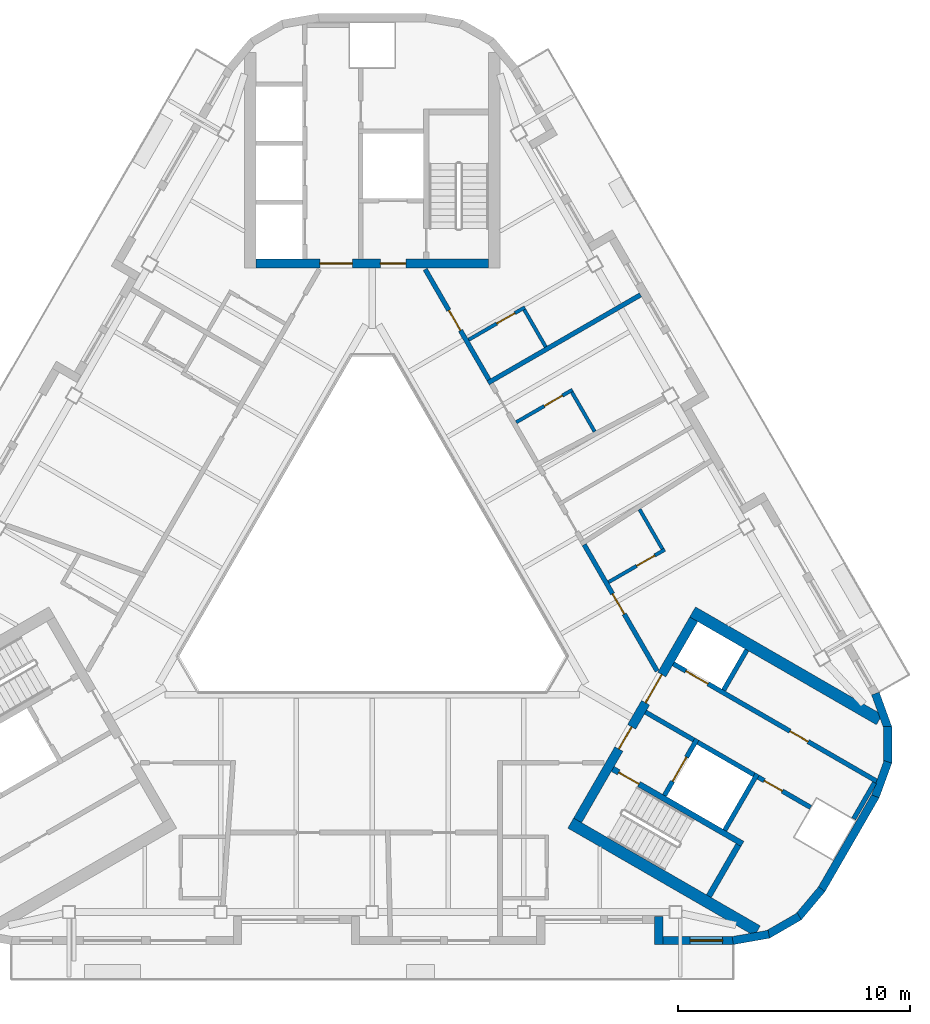
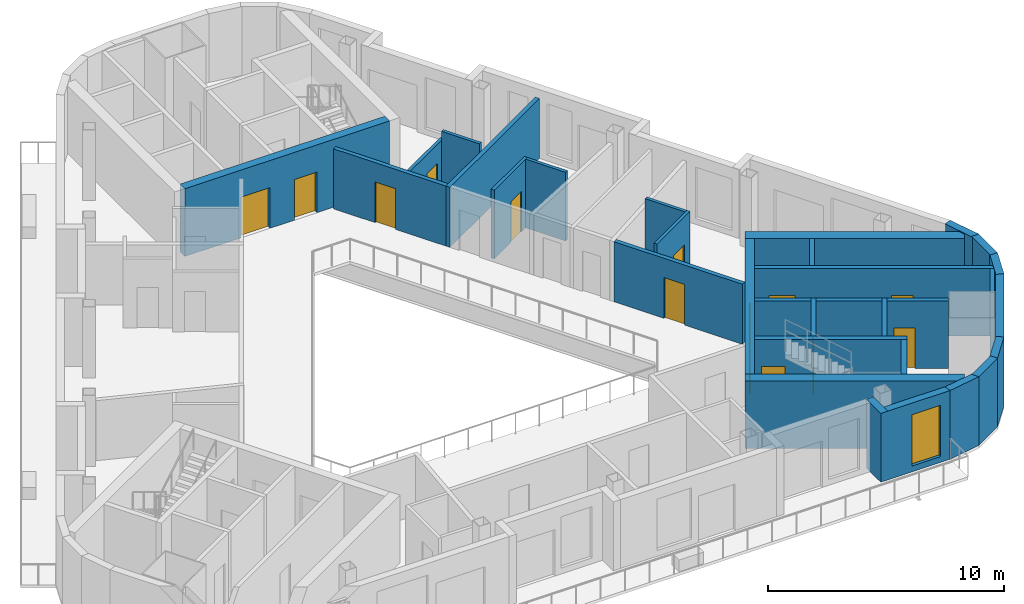
# One storey, part 5 of 11: 32 walls, 14 doors, 1 window, 15 openings.
"""IFC4 building model written with IfcOpenShell, lengths in metres."""

import ifcopenshell
import ifcopenshell.guid

model = None  # the IFC model being written
_history = None  # IfcOwnerHistory: only IFC2X3 demands one
_inside = {}  # id of a spatial element -> (the spatial element, [elements in it])
_under = {}  # id of a project, library or spatial element -> (it, [spatial elements below it])
_declared = {}  # id of a project -> (the project, [libraries it declares])
_typed = {}  # id of a type object -> (the type object, [elements of that type])
_made_of = {}  # id of a material, layer set ... -> (it, [elements and type objects made of it])


def new_model(schema):
    """Start an empty IFC model of exactly this schema.

    Asked for "IFC4X3", IfcOpenShell would pick the latest addendum, in which some entities
    have other attributes; the version numbers below select the first issue.
    IFC2X3 requires an IfcOwnerHistory on every rooted entity: one is made here for all.
    """
    global model, _history
    if schema == "IFC4X3":
        model = ifcopenshell.file(schema_version=(4, 3, 0, 0))
    else:
        model = ifcopenshell.file(schema=schema)
    _inside.clear()
    _under.clear()
    _declared.clear()
    _typed.clear()
    _made_of.clear()
    _history = None
    if model.schema == "IFC2X3":
        org = make("IfcOrganization", Name="unknown")
        user = make(
            "IfcPersonAndOrganization",
            ThePerson=make("IfcPerson", FamilyName="unknown"),
            TheOrganization=org,
        )
        app = make(
            "IfcApplication",
            ApplicationDeveloper=org,
            Version="unknown",
            ApplicationFullName="unknown",
            ApplicationIdentifier="unknown",
        )
        _history = make(
            "IfcOwnerHistory",
            OwningUser=user,
            OwningApplication=app,
            ChangeAction="ADDED",
            CreationDate=0,
        )
    return model


def make(cls, **values):
    """One entity of the class cls with the attributes given. An attribute that is None is left unset."""
    return model.create_entity(
        cls, **{name: value for name, value in values.items() if value is not None}
    )


def rooted(cls, **values):
    """An entity with a GlobalId (a new one), such as an element, a storey or a relation."""
    return make(cls, GlobalId=ifcopenshell.guid.new(), OwnerHistory=_history, **values)


def si_unit(unit_type, name, prefix=None):
    """IfcSIUnit, for example si_unit("LENGTHUNIT", "METRE", prefix="MILLI")."""
    return make("IfcSIUnit", UnitType=unit_type, Prefix=prefix, Name=name)


def assignment(units):
    """IfcUnitAssignment: the units of a project."""
    return None if units is None else make("IfcUnitAssignment", Units=units)


def point(xyz):
    """IfcCartesianPoint."""
    return None if xyz is None else make("IfcCartesianPoint", Coordinates=xyz)


def direction(xyz):
    """IfcDirection."""
    return None if xyz is None else make("IfcDirection", DirectionRatios=xyz)


def frame(location, z_axis=None, x_axis=None):
    """IfcAxis2Placement3D, a coordinate frame: its origin and axes. An axis left out is left unset."""
    return make(
        "IfcAxis2Placement3D",
        Location=point(location),
        Axis=direction(z_axis),
        RefDirection=direction(x_axis),
    )


def frame_2d(location, x_axis=None):
    """IfcAxis2Placement2D, a coordinate frame in the plane: its origin and x axis."""
    return make(
        "IfcAxis2Placement2D", Location=point(location), RefDirection=direction(x_axis)
    )


def origin():
    """The frame at (0, 0, 0) with its axes left unset."""
    return frame((0.0, 0.0, 0.0))


def place(relative_to, where):
    """IfcLocalPlacement: puts the frame where relative to a parent placement (None: the world)."""
    return make(
        "IfcLocalPlacement", PlacementRelTo=relative_to, RelativePlacement=where
    )


def context(
    kind, dimensions, precision=None, world=None, true_north=None, identifier=None
):
    """IfcGeometricRepresentationContext, for example the 3D "Model" context."""
    return make(
        "IfcGeometricRepresentationContext",
        ContextIdentifier=identifier,
        ContextType=kind,
        CoordinateSpaceDimension=dimensions,
        Precision=precision,
        WorldCoordinateSystem=world,
        TrueNorth=true_north,
    )


def subcontext(parent, identifier, kind, view, scale=None):
    """IfcGeometricRepresentationSubContext, for example "Body" below "Model"."""
    return make(
        "IfcGeometricRepresentationSubContext",
        ContextIdentifier=identifier,
        ContextType=kind,
        ParentContext=parent,
        TargetScale=scale,
        TargetView=view,
    )


def project(units=None, contexts=None):
    """IfcProject with its units and contexts."""
    return rooted(
        "IfcProject",
        Name="project",
        RepresentationContexts=contexts,
        UnitsInContext=assignment(units),
    )


def spatial(cls, under=None, at=None, **own):
    """A site, building, storey or space (cls), placed at a placement, below another one or the project."""
    s = rooted(cls, ObjectPlacement=at, **own)
    if under is not None:
        _under.setdefault(under.id(), (under, []))[1].append(s)
    return s


def profile(cls, at=None, kind="AREA", **sizes):
    """A parametric profile (cls). Its sizes go by their IFC names, for example OverallWidth=200.0."""
    return make(cls, ProfileType=kind, Position=at, **sizes)


def rectangle(**sizes):
    """IfcRectangleProfileDef."""
    return profile("IfcRectangleProfileDef", **sizes)


def extrude(swept, where, along, depth):
    """IfcExtrudedAreaSolid: the profile swept, set in the frame where, extruded along a direction by depth."""
    return make(
        "IfcExtrudedAreaSolid",
        SweptArea=swept,
        Position=where,
        ExtrudedDirection=direction(along),
        Depth=depth,
    )


def shape(context_of_items, identifier, shape_type, items):
    """IfcShapeRepresentation: the items that make up one representation, for example the "Body"."""
    return make(
        "IfcShapeRepresentation",
        ContextOfItems=context_of_items,
        RepresentationIdentifier=identifier,
        RepresentationType=shape_type,
        Items=items,
    )


def material(Name=None, Category=None):
    """IfcMaterial."""
    return make("IfcMaterial", Name=Name, Category=Category)


def layer(
    of_material, thickness, ventilated=None, Name=None, Category=None, Priority=None
):
    """IfcMaterialLayer: one layer of a wall or slab, of a material (None: an air gap)."""
    return make(
        "IfcMaterialLayer",
        Material=of_material,
        LayerThickness=thickness,
        IsVentilated=ventilated,
        Name=Name,
        Category=Category,
        Priority=Priority,
    )


def layer_set(layers, Name=None):
    """IfcMaterialLayerSet."""
    return make("IfcMaterialLayerSet", MaterialLayers=layers, LayerSetName=Name)


def made_of(thing, what):
    """Note that an element or type object is made of a material, layer set ...; save() writes the relation."""
    if what is not None:
        _made_of.setdefault(what.id(), (what, []))[1].append(thing)
    return thing


def type_object(cls, material=None, **own):
    """A type object (cls), such as IfcWallType, which elements share."""
    return made_of(rooted(cls, **own), material)


def element(
    cls,
    number,
    at=None,
    inside=None,
    cuts=None,
    type_object=None,
    material=None,
    context=None,
    identifier="Body",
    shape_type=None,
    held_by="IfcProductDefinitionShape",
    body=None,
    shapes=None,
    **own,
):
    """One element of the class cls, such as IfcWall. Its Tag is "e" and its number.

    at: its placement. inside: the storey or other place that contains it. cuts: it is an
    opening in that element (IfcRelVoidsElement). A single representation is given by context,
    identifier, shape_type and body (its items); several are given by shapes. held_by: the class
    of the entity that holds the representations. save() writes the other relations.
    """
    e = rooted(cls, Tag="e%d" % number, ObjectPlacement=at, **own)
    if body is not None:
        shapes = [shape(context, identifier, shape_type, body)]
    if shapes is not None:
        e.Representation = make(held_by, Representations=shapes)
    if inside is not None:
        _inside.setdefault(inside.id(), (inside, []))[1].append(e)
    if cuts is not None:
        rooted(
            "IfcRelVoidsElement", RelatingBuildingElement=cuts, RelatedOpeningElement=e
        )
    if type_object is not None:
        _typed.setdefault(type_object.id(), (type_object, []))[1].append(e)
    return made_of(e, material)


def fill(opening, filler):
    """IfcRelFillsElement: the door or window that sits in an opening."""
    return rooted(
        "IfcRelFillsElement",
        RelatingOpeningElement=opening,
        RelatedBuildingElement=filler,
    )


def aggregate(whole, parts):
    """IfcRelAggregates: a whole, such as a stair, and the parts it consists of."""
    return rooted("IfcRelAggregates", RelatingObject=whole, RelatedObjects=parts)


def save(model, path):
    """Write the relations noted so far, then the file.

    IfcRelAggregates (storeys below a building ...), IfcRelContainedInSpatialStructure (elements
    in a storey), IfcRelDefinesByType, IfcRelAssociatesMaterial and IfcRelDeclares: one each for
    every whole, place, type object, material and project.
    """
    for whole, parts in _under.values():
        aggregate(whole, parts)
    for where, things in _inside.values():
        rooted(
            "IfcRelContainedInSpatialStructure",
            RelatedElements=things,
            RelatingStructure=where,
        )
    for kind, things in _typed.values():
        rooted("IfcRelDefinesByType", RelatedObjects=things, RelatingType=kind)
    for what, things in _made_of.values():
        rooted("IfcRelAssociatesMaterial", RelatedObjects=things, RelatingMaterial=what)
    for by, libraries in _declared.values():
        rooted("IfcRelDeclares", RelatingContext=by, RelatedDefinitions=libraries)
    model.write(path)


model = new_model("IFC4")

# Units and contexts
model_context = context("Model", 3, precision=1e-05, world=origin(), true_north=direction((0.0, 1.0)))
body_context = subcontext(model_context, "Body", "Model", "MODEL_VIEW")
ifc_project = project(units=[si_unit("LENGTHUNIT", "METRE"), si_unit("AREAUNIT", "SQUARE_METRE"), si_unit("VOLUMEUNIT", "CUBIC_METRE"), si_unit("PLANEANGLEUNIT", "RADIAN"), si_unit("MASSUNIT", "GRAM", prefix="KILO")], contexts=[model_context])

# Site, building, storey
site_placement = place(None, origin())
site = spatial("IfcSite", under=ifc_project, at=site_placement, CompositionType="ELEMENT")
building_placement = place(site_placement, origin())
building = spatial("IfcBuilding", under=site, at=building_placement, Name="Apuvela Tower Hotel", CompositionType="ELEMENT")
storey_placement = place(building_placement, frame((0.0, 0.0, 317.0)))
storey = spatial("IfcBuildingStorey", under=building, at=storey_placement, Name="L79", CompositionType="ELEMENT", Elevation=317.0)

# Wall, openings, doors
ifc_material_1 = material(Name="Concrete C50/60", Category="concrete")
ifc_layer_1 = layer(ifc_material_1, 0.39990234375)
ifc_layer_set_1 = layer_set([ifc_layer_1], Name="COR-WALL-CORE-400")
wall_type_1 = type_object("IfcWallType", Name="COR-WALL-CORE-400", PredefinedType="SHEAR", material=ifc_layer_set_1)
wall_1_placement = place(storey_placement, frame((5.0, 13.10009765625, 0.0), z_axis=(0.0, 0.0, 1.0), x_axis=(-1.0, 0.0, 0.0)))
wall_1 = element("IfcWall", 1, at=wall_1_placement, inside=storey, type_object=wall_type_1, Name="Core wall N", PredefinedType="SHEAR", context=body_context, shape_type="SweptSolid", body=[
    extrude(rectangle(XDim=10.0, YDim=0.39990234375, at=frame_2d((5.0, 0.0))), origin(), (0.0, 0.0, 1.0), 3.5),
])
opening_1_placement = place(wall_1_placement, frame((3.550048828125, 0.0, 0.0)))
opening_1 = element("IfcOpeningElement", 2, at=opening_1_placement, cuts=wall_1, Name="Opening N-FD", PredefinedType="OPENING", context=body_context, shape_type="SweptSolid", body=[
    extrude(rectangle(XDim=1.10009765625, YDim=2.10009765625, at=frame_2d((0.550048828125, 1.050048828125))), frame((0.0, 0.2099609375, 0.0), z_axis=(0.0, -1.0, 0.0), x_axis=(1.0, 0.0, 0.0)), (0.0, 0.0, 1.0), 0.419921875),
])
opening_2_placement = place(wall_1_placement, frame((5.85009765625, 0.0, 0.0)))
opening_2 = element("IfcOpeningElement", 3, at=opening_2_placement, cuts=wall_1, Name="Opening N-GD", PredefinedType="OPENING", context=body_context, shape_type="SweptSolid", body=[
    extrude(rectangle(XDim=1.39990234375, YDim=2.10009765625, at=frame_2d((0.699951171875, 1.050048828125))), frame((0.0, 0.2099609375, 0.0), z_axis=(0.0, -1.0, 0.0), x_axis=(1.0, 0.0, 0.0)), (0.0, 0.0, 1.0), 0.419921875),
])
ifc_material_2 = material(Name="Steel fire door, powder coated", Category="steel")
door_type_1 = type_object("IfcDoorType", Name="COR-FD-1100", OperationType="NOTDEFINED", PredefinedType="DOOR", material=ifc_material_2)
door_1_placement = place(opening_1_placement, frame((1.10009765625, 0.0, 0.0), z_axis=(0.0, 0.0, 1.0), x_axis=(-1.0, 0.0, 0.0)))
door_1 = element("IfcDoor", 4, at=door_1_placement, inside=storey, type_object=door_type_1, Name="Firefighting lobby door N-FD", OperationType="SINGLE_SWING_LEFT", OverallHeight=2.10009765625, OverallWidth=1.10009765625, PredefinedType="DOOR", context=body_context, shape_type="SweptSolid", body=[
    extrude(rectangle(XDim=1.10009765625, YDim=2.10009765625, at=frame_2d((0.550048828125, 1.050048828125))), frame((0.0, 0.02490234375, 0.0), z_axis=(0.0, -1.0, 0.0), x_axis=(1.0, 0.0, 0.0)), (0.0, 0.0, 1.0), 0.050048828125),
])
fill(opening_1, door_1)
ifc_material_3 = material(Name="Glazed steel fire door", Category="steel")
door_type_2 = type_object("IfcDoorType", Name="COR-GD-1400", OperationType="DOUBLE_DOOR_SINGLE_SWING", PredefinedType="DOOR", material=ifc_material_3)
door_2_placement = place(opening_2_placement, frame((1.39990234375, 0.0, 0.0), z_axis=(0.0, 0.0, 1.0), x_axis=(-1.0, 0.0, 0.0)))
door_2 = element("IfcDoor", 5, at=door_2_placement, inside=storey, type_object=door_type_2, Name="Lift lobby door N-GD", OperationType="DOUBLE_DOOR_SINGLE_SWING", OverallHeight=2.10009765625, OverallWidth=1.39990234375, PredefinedType="DOOR", context=body_context, shape_type="SweptSolid", body=[
    extrude(rectangle(XDim=1.39990234375, YDim=2.10009765625, at=frame_2d((0.699951171875, 1.050048828125))), frame((0.0, 0.02490234375, 0.0), z_axis=(0.0, -1.0, 0.0), x_axis=(1.0, 0.0, 0.0)), (0.0, 0.0, 1.0), 0.050048828125),
])
fill(opening_2, door_2)

wall_2_placement = place(storey_placement, frame((8.844970703125, -10.880126953125, 0.0), z_axis=(0.0, 0.0, 1.0), x_axis=(0.500004234368, 0.866022959057, 0.0)))
wall_2 = element("IfcWall", 6, at=wall_2_placement, inside=storey, type_object=wall_type_1, Name="Core wall SE", PredefinedType="SHEAR", context=body_context, shape_type="SweptSolid", body=[
    extrude(rectangle(XDim=10.0, YDim=0.39990234375, at=frame_2d((5.0, 0.0))), origin(), (0.0, 0.0, 1.0), 3.5),
])
opening_3_placement = place(wall_2_placement, frame((3.550048828125, 0.0, 0.0)))
opening_3 = element("IfcOpeningElement", 7, at=opening_3_placement, cuts=wall_2, Name="Opening E-FD", PredefinedType="OPENING", context=body_context, shape_type="SweptSolid", body=[
    extrude(rectangle(XDim=1.10009765625, YDim=2.10009765625, at=frame_2d((0.550048828125, 1.050048828125))), frame((0.0, 0.2099609375, 0.0), z_axis=(0.0, -1.0, 0.0), x_axis=(1.0, 0.0, 0.0)), (0.0, 0.0, 1.0), 0.419921875),
])
opening_4_placement = place(wall_2_placement, frame((5.85009765625, 0.0, 0.0)))
opening_4 = element("IfcOpeningElement", 8, at=opening_4_placement, cuts=wall_2, Name="Opening E-GD", PredefinedType="OPENING", context=body_context, shape_type="SweptSolid", body=[
    extrude(rectangle(XDim=1.39990234375, YDim=2.10009765625, at=frame_2d((0.699951171875, 1.050048828125))), frame((0.0, 0.2099609375, 0.0), z_axis=(0.0, -1.0, 0.0), x_axis=(1.0, 0.0, 0.0)), (0.0, 0.0, 1.0), 0.419921875),
])
door_3_placement = place(opening_3_placement, frame((1.10009765625, 0.0, 0.0), z_axis=(0.0, 0.0, 1.0), x_axis=(-1.0, 0.0, 0.0)))
door_3 = element("IfcDoor", 9, at=door_3_placement, inside=storey, type_object=door_type_1, Name="Firefighting lobby door E-FD", OperationType="SINGLE_SWING_LEFT", OverallHeight=2.10009765625, OverallWidth=1.10009765625, PredefinedType="DOOR", context=body_context, shape_type="SweptSolid", body=[
    extrude(rectangle(XDim=1.10009765625, YDim=2.10009765625, at=frame_2d((0.550048828125, 1.050048828125))), frame((0.0, 0.02490234375, 0.0), z_axis=(0.0, -1.0, 0.0), x_axis=(1.0, 0.0, 0.0)), (0.0, 0.0, 1.0), 0.050048828125),
])
fill(opening_3, door_3)
door_4_placement = place(opening_4_placement, frame((1.39990234375, 0.0, 0.0), z_axis=(0.0, 0.0, 1.0), x_axis=(-1.0, 0.0, 0.0)))
door_4 = element("IfcDoor", 10, at=door_4_placement, inside=storey, type_object=door_type_2, Name="Lift lobby door E-GD", OperationType="DOUBLE_DOOR_SINGLE_SWING", OverallHeight=2.10009765625, OverallWidth=1.39990234375, PredefinedType="DOOR", context=body_context, shape_type="SweptSolid", body=[
    extrude(rectangle(XDim=1.39990234375, YDim=2.10009765625, at=frame_2d((0.699951171875, 1.050048828125))), frame((0.0, 0.02490234375, 0.0), z_axis=(0.0, -1.0, 0.0), x_axis=(1.0, 0.0, 0.0)), (0.0, 0.0, 1.0), 0.050048828125),
])
fill(opening_4, door_4)

# Walls
ifc_layer_2 = layer(ifc_material_1, 0.5)
ifc_layer_set_2 = layer_set([ifc_layer_2], Name="COR-WALL-CORE-500")
wall_type_2 = type_object("IfcWallType", Name="COR-WALL-CORE-500", PredefinedType="SHEAR", material=ifc_layer_set_2)
for number, where, z_axis, x_axis, name in (
    (11, (8.546630859375, -10.99658203125, 0.0), (0.0, 0.0, 1.0), (0.866025286072, -0.500000203884, 0.0), "Core wall SE"),
    (12, (13.796630859375, -1.9033203125, 0.0), (0.0, 0.0, 1.0), (0.866025286072, -0.500000203884, 0.0), "Core wall SE"),
):
    element("IfcWall", number, at=place(storey_placement, frame(where, z_axis=z_axis, x_axis=x_axis)), inside=storey, type_object=wall_type_2, Name=name, PredefinedType="SHEAR", context=body_context, shape_type="SweptSolid", body=[
        extrude(rectangle(XDim=9.28271484375, YDim=0.5, at=frame_2d((4.641357421875, 0.0))), origin(), (0.0, 0.0, 1.0), 3.5),
    ])
ifc_layer_3 = layer(ifc_material_1, 0.199951171875)
ifc_layer_set_3 = layer_set([ifc_layer_3], Name="COR-WALL-SHAFT-200")
wall_type_3 = type_object("IfcWallType", Name="COR-WALL-SHAFT-200", PredefinedType="SHEAR", material=ifc_layer_set_3)
wall_3_placement = place(storey_placement, frame((15.181396484375, -11.305419921875, 0.0), z_axis=(0.0, 0.0, 1.0), x_axis=(0.49994636267, 0.866056369097, 0.0)))
element("IfcWall", 13, at=wall_3_placement, inside=storey, type_object=wall_type_3, Name="Shaft wall SE", PredefinedType="SHEAR", context=body_context, shape_type="SweptSolid", body=[
    extrude(rectangle(XDim=2.800048828125, YDim=0.199951171875, at=frame_2d((1.39990234375, 0.0))), origin(), (0.0, 0.0, 1.0), 3.5),
])

# Wall, opening, door
wall_4_placement = place(storey_placement, frame((12.583251953125, -9.805419921875, 0.0), z_axis=(0.0, 0.0, 1.0), x_axis=(0.49994636267, 0.866056369097, 0.0)))
wall_4 = element("IfcWall", 14, at=wall_4_placement, inside=storey, type_object=wall_type_3, Name="Shaft wall SE", PredefinedType="SHEAR", context=body_context, shape_type="SweptSolid", body=[
    extrude(rectangle(XDim=2.800048828125, YDim=0.199951171875, at=frame_2d((1.39990234375, 0.0))), origin(), (0.0, 0.0, 1.0), 3.5),
])
opening_5_placement = place(wall_4_placement, frame((0.699951171875, 0.0, 0.0)))
opening_5 = element("IfcOpeningElement", 15, at=opening_5_placement, cuts=wall_4, Name="Opening E-LD-FS3", PredefinedType="OPENING", context=body_context, shape_type="SweptSolid", body=[
    extrude(rectangle(XDim=1.199951171875, YDim=2.10009765625, at=frame_2d((0.60009765625, 1.050048828125))), frame((0.0, 0.10986328125, 0.0), z_axis=(0.0, -1.0, 0.0), x_axis=(1.0, 0.0, 0.0)), (0.0, 0.0, 1.0), 0.219970703125),
])
ifc_material_4 = material(Name="Stainless steel lift landing door", Category="steel")
door_type_3 = type_object("IfcDoorType", Name="COR-LD-1200", OperationType="DOUBLE_DOOR_SLIDING", PredefinedType="DOOR", material=ifc_material_4)
door_5_placement = place(opening_5_placement, origin())
door_5 = element("IfcDoor", 16, at=door_5_placement, inside=storey, type_object=door_type_3, Name="Lift landing door E-LD-FS3", OperationType="DOUBLE_DOOR_SLIDING", OverallHeight=2.10009765625, OverallWidth=1.199951171875, PredefinedType="DOOR", context=body_context, shape_type="SweptSolid", body=[
    extrude(rectangle(XDim=1.199951171875, YDim=2.10009765625, at=frame_2d((0.60009765625, 1.050048828125))), frame((0.0, 0.02490234375, 0.0), z_axis=(0.0, -1.0, 0.0), x_axis=(1.0, 0.0, 0.0)), (0.0, 0.0, 1.0), 0.050048828125),
])
fill(opening_5, door_5)

# Walls
wall_5_placement = place(storey_placement, frame((11.76806640625, -6.217041015625, 0.0), z_axis=(0.0, 0.0, 1.0), x_axis=(0.866050077142, -0.499957262057, 0.0)))
element("IfcWall", 17, at=wall_5_placement, inside=storey, type_object=wall_type_3, Name="Shaft wall SE", PredefinedType="SHEAR", context=body_context, shape_type="SweptSolid", body=[
    extrude(rectangle(XDim=2.400146484375, YDim=0.199951171875, at=frame_2d((1.2001953125, 0.0))), origin(), (0.0, 0.0, 1.0), 3.5),
])
wall_6_placement = place(storey_placement, frame((14.019775390625, -7.51708984375, 0.0), z_axis=(0.0, 0.0, 1.0), x_axis=(0.866034573852, -0.49998411664, 0.0)))
element("IfcWall", 18, at=wall_6_placement, inside=storey, type_object=wall_type_3, Name="Shaft wall SE", PredefinedType="SHEAR", context=body_context, shape_type="SweptSolid", body=[
    extrude(rectangle(XDim=2.7998046875, YDim=0.199951171875, at=frame_2d((1.39990234375, 0.0))), origin(), (0.0, 0.0, 1.0), 3.5),
])

# Wall, openings, doors
wall_7_placement = place(storey_placement, frame((12.968017578125, -4.138427734375, 0.0), z_axis=(0.0, 0.0, 1.0), x_axis=(0.866025710499, -0.499999468754, 0.0)))
wall_7 = element("IfcWall", 19, at=wall_7_placement, inside=storey, type_object=wall_type_3, Name="Shaft wall SE", PredefinedType="SHEAR", context=body_context, shape_type="SweptSolid", body=[
    extrude(rectangle(XDim=10.12109375, YDim=0.199951171875, at=frame_2d((5.060546875, 0.0))), origin(), (0.0, 0.0, 1.0), 3.5),
])
opening_6_placement = place(wall_7_placement, frame((0.6201171875, 0.0, 0.0)))
opening_6 = element("IfcOpeningElement", 20, at=opening_6_placement, cuts=wall_7, Name="Opening E-LD-HR3", PredefinedType="OPENING", context=body_context, shape_type="SweptSolid", body=[
    extrude(rectangle(XDim=1.10009765625, YDim=2.10009765625, at=frame_2d((0.550048828125, 1.050048828125))), frame((0.0, 0.10986328125, 0.0), z_axis=(0.0, -1.0, 0.0), x_axis=(1.0, 0.0, 0.0)), (0.0, 0.0, 1.0), 0.219970703125),
])
opening_7_placement = place(wall_7_placement, frame((5.800048828125, 0.0, 0.0)))
opening_7 = element("IfcOpeningElement", 21, at=opening_7_placement, cuts=wall_7, Name="Opening E-RE2", PredefinedType="OPENING", context=body_context, shape_type="SweptSolid", body=[
    extrude(rectangle(XDim=0.89990234375, YDim=2.10009765625, at=frame_2d((0.449951171875, 1.050048828125))), frame((0.0, 0.10986328125, 0.0), z_axis=(0.0, -1.0, 0.0), x_axis=(1.0, 0.0, 0.0)), (0.0, 0.0, 1.0), 0.219970703125),
])
door_type_4 = type_object("IfcDoorType", Name="COR-DR-900", OperationType="NOTDEFINED", PredefinedType="DOOR", material=ifc_material_2)
door_6_placement = place(opening_7_placement, origin())
door_6 = element("IfcDoor", 22, at=door_6_placement, inside=storey, type_object=door_type_4, Name="Store door E-RE2", OperationType="SINGLE_SWING_LEFT", OverallHeight=2.10009765625, OverallWidth=0.89990234375, PredefinedType="DOOR", context=body_context, shape_type="SweptSolid", body=[
    extrude(rectangle(XDim=0.89990234375, YDim=2.10009765625, at=frame_2d((0.449951171875, 1.050048828125))), frame((0.0, 0.02490234375, 0.0), z_axis=(0.0, -1.0, 0.0), x_axis=(1.0, 0.0, 0.0)), (0.0, 0.0, 1.0), 0.050048828125),
])
fill(opening_7, door_6)
door_type_5 = type_object("IfcDoorType", Name="COR-LD-1100", OperationType="DOUBLE_DOOR_SLIDING", PredefinedType="DOOR", material=ifc_material_4)
door_7_placement = place(opening_6_placement, origin())
door_7 = element("IfcDoor", 23, at=door_7_placement, inside=storey, type_object=door_type_5, Name="Lift landing door E-LD-HR3", OperationType="DOUBLE_DOOR_SLIDING", OverallHeight=2.10009765625, OverallWidth=1.10009765625, PredefinedType="DOOR", context=body_context, shape_type="SweptSolid", body=[
    extrude(rectangle(XDim=1.10009765625, YDim=2.10009765625, at=frame_2d((0.550048828125, 1.050048828125))), frame((0.0, 0.02490234375, 0.0), z_axis=(0.0, -1.0, 0.0), x_axis=(1.0, 0.0, 0.0)), (0.0, 0.0, 1.0), 0.050048828125),
])
fill(opening_6, door_7)

# Wall
wall_8_placement = place(storey_placement, frame((20.73046875, -10.81396484375, 0.0), z_axis=(0.0, 0.0, 1.0), x_axis=(0.499961193289, 0.866047807691, 0.0)))
element("IfcWall", 24, at=wall_8_placement, inside=storey, type_object=wall_type_3, Name="Shaft wall SE", PredefinedType="SHEAR", context=body_context, shape_type="SweptSolid", body=[
    extrude(rectangle(XDim=1.800048828125, YDim=0.199951171875, at=frame_2d((0.89990234375, 0.0))), origin(), (0.0, 0.0, 1.0), 3.5),
])

# Wall, opening, door
wall_9_placement = place(storey_placement, frame((16.617919921875, -9.01708984375, 0.0), z_axis=(0.0, 0.0, 1.0), x_axis=(0.866045268016, -0.499965592563, 0.0)))
wall_9 = element("IfcWall", 25, at=wall_9_placement, inside=storey, type_object=wall_type_3, Name="Shaft wall SE", PredefinedType="SHEAR", context=body_context, shape_type="SweptSolid", body=[
    extrude(rectangle(XDim=2.607666015625, YDim=0.199951171875, at=frame_2d((1.3037109375, 0.0))), origin(), (0.0, 0.0, 1.0), 3.5),
])
opening_8_placement = place(wall_9_placement, frame((0.300048828125, 0.0, 0.0)))
opening_8 = element("IfcOpeningElement", 26, at=opening_8_placement, cuts=wall_9, Name="Opening E-RDU", PredefinedType="OPENING", context=body_context, shape_type="SweptSolid", body=[
    extrude(rectangle(XDim=0.89990234375, YDim=2.10009765625, at=frame_2d((0.449951171875, 1.050048828125))), frame((0.0, 0.10986328125, 0.0), z_axis=(0.0, -1.0, 0.0), x_axis=(1.0, 0.0, 0.0)), (0.0, 0.0, 1.0), 0.219970703125),
])
door_8_placement = place(opening_8_placement, frame((0.89990234375, 0.0, 0.0), z_axis=(0.0, 0.0, 1.0), x_axis=(-1.0, 0.0, 0.0)))
door_8 = element("IfcDoor", 27, at=door_8_placement, inside=storey, type_object=door_type_4, Name="Store door E-RDU", OperationType="SINGLE_SWING_RIGHT", OverallHeight=2.10009765625, OverallWidth=0.89990234375, PredefinedType="DOOR", context=body_context, shape_type="SweptSolid", body=[
    extrude(rectangle(XDim=0.89990234375, YDim=2.10009765625, at=frame_2d((0.449951171875, 1.050048828125))), frame((0.0, 0.02490234375, 0.0), z_axis=(0.0, -1.0, 0.0), x_axis=(1.0, 0.0, 0.0)), (0.0, 0.0, 1.0), 0.050048828125),
])
fill(opening_8, door_8)

# Wall
wall_10_placement = place(storey_placement, frame((15.131103515625, -5.27197265625, 0.0), z_axis=(0.0, 0.0, 1.0), x_axis=(0.499972520799, 0.866041268327, 0.0)))
element("IfcWall", 28, at=wall_10_placement, inside=storey, type_object=wall_type_3, Name="Shaft wall SE", PredefinedType="SHEAR", context=body_context, shape_type="SweptSolid", body=[
    extrude(rectangle(XDim=2.0, YDim=0.199951171875, at=frame_2d((1.0, 0.0))), origin(), (0.0, 0.0, 1.0), 3.5),
])

# Wall, opening, door
ifc_layer_4 = layer(ifc_material_1, 0.25)
ifc_layer_set_4 = layer_set([ifc_layer_4], Name="COR-WALL-STAIR-250")
wall_type_4 = type_object("IfcWallType", Name="COR-WALL-STAIR-250", PredefinedType="SHEAR", material=ifc_layer_set_4)
wall_11_placement = place(storey_placement, frame((10.355712890625, -8.66357421875, 0.0), z_axis=(0.0, 0.0, 1.0), x_axis=(0.866028629588, -0.499994412703, 0.0)))
wall_11 = element("IfcWall", 29, at=wall_11_placement, inside=storey, type_object=wall_type_4, Name="Stair wall SE", PredefinedType="SHEAR", context=body_context, shape_type="SweptSolid", body=[
    extrude(rectangle(XDim=6.44970703125, YDim=0.25, at=frame_2d((3.224853515625, 0.0))), origin(), (0.0, 0.0, 1.0), 3.5),
])
opening_9_placement = place(wall_11_placement, frame((0.300048828125, 0.0, 0.0)))
opening_9 = element("IfcOpeningElement", 30, at=opening_9_placement, cuts=wall_11, Name="Opening E-SD", PredefinedType="OPENING", context=body_context, shape_type="SweptSolid", body=[
    extrude(rectangle(XDim=1.0, YDim=2.10009765625, at=frame_2d((0.5, 1.050048828125))), frame((0.0, 0.135009765625, 0.0), z_axis=(0.0, -1.0, 0.0), x_axis=(1.0, 0.0, 0.0)), (0.0, 0.0, 1.0), 0.27001953125),
])
door_type_6 = type_object("IfcDoorType", Name="COR-SD-1000", OperationType="NOTDEFINED", PredefinedType="DOOR", material=ifc_material_2)
door_9_placement = place(opening_9_placement, frame((1.0, 0.0, 0.0), z_axis=(0.0, 0.0, 1.0), x_axis=(-1.0, 0.0, 0.0)))
door_9 = element("IfcDoor", 31, at=door_9_placement, inside=storey, type_object=door_type_6, Name="Stair door E-SD", OperationType="SINGLE_SWING_LEFT", OverallHeight=2.10009765625, OverallWidth=1.0, PredefinedType="DOOR", context=body_context, shape_type="SweptSolid", body=[
    extrude(rectangle(XDim=1.0, YDim=2.10009765625, at=frame_2d((0.5, 1.050048828125))), frame((0.0, 0.02490234375, 0.0), z_axis=(0.0, -1.0, 0.0), x_axis=(1.0, 0.0, 0.0)), (0.0, 0.0, 1.0), 0.050048828125),
])
fill(opening_9, door_9)

# Walls
wall_12_placement = place(storey_placement, frame((14.49560546875, -14.142578125, 0.0), z_axis=(0.0, 0.0, 1.0), x_axis=(0.500062241894, 0.865989465428, 0.0)))
element("IfcWall", 32, at=wall_12_placement, inside=storey, type_object=wall_type_4, Name="Stair wall SE", PredefinedType="SHEAR", context=body_context, shape_type="SweptSolid", body=[
    extrude(rectangle(XDim=2.550048828125, YDim=0.25, at=frame_2d((1.27490234375, 0.0))), origin(), (0.0, 0.0, 1.0), 3.5),
])
ifc_material_5 = material(Name="Concrete C40/50, dark pigmented precast panel", Category="concrete")
ifc_layer_5 = layer(ifc_material_5, 0.35009765625)
ifc_layer_set_5 = layer_set([ifc_layer_5], Name="ENV-WALL-350")
wall_type_5 = type_object("IfcWallType", Name="ENV-WALL-350", PredefinedType="SOLIDWALL", material=ifc_layer_set_5)
wall_13_placement = place(storey_placement, frame((12.33642578125, -15.007568359375, 0.0), z_axis=(0.0, 0.0, 1.0), x_axis=(0.0, -1.0, 0.0)))
element("IfcWall", 33, at=wall_13_placement, inside=storey, type_object=wall_type_5, Name="External wall L79-24", PredefinedType="SOLIDWALL", context=body_context, shape_type="SweptSolid", body=[
    extrude(rectangle(XDim=1.219970703125, YDim=0.35009765625, at=frame_2d((0.60986328125, 0.0))), origin(), (0.0, 0.0, 1.0), 3.550048828125),
])

# Wall, opening, window
wall_14_placement = place(storey_placement, frame((12.161376953125, -16.052490234375, 0.0), z_axis=(0.0, 0.0, 1.0), x_axis=(1.0, 0.0, 0.0)))
wall_14 = element("IfcWall", 34, at=wall_14_placement, inside=storey, type_object=wall_type_5, Name="External wall L79-25", PredefinedType="SOLIDWALL", context=body_context, shape_type="SweptSolid", body=[
    extrude(rectangle(XDim=3.39306640625, YDim=0.35009765625, at=frame_2d((1.696533203125, 0.0))), origin(), (0.0, 0.0, 1.0), 3.550048828125),
])
opening_10_placement = place(wall_14_placement, frame((1.5244140625, 0.0, 0.300048828125)))
opening_10 = element("IfcOpeningElement", 35, at=opening_10_placement, cuts=wall_14, Name="Opening WN14", PredefinedType="OPENING", context=body_context, shape_type="SweptSolid", body=[
    extrude(rectangle(XDim=1.39990234375, YDim=2.64990234375, at=frame_2d((0.699951171875, 1.324951171875))), frame((0.0, 0.18505859375, 0.0), z_axis=(0.0, -1.0, 0.0), x_axis=(1.0, 0.0, 0.0)), (0.0, 0.0, 1.0), 0.3701171875),
])
ifc_material_6 = material(Name="Glass, dark tinted laminated insulated glazing unit", Category="glass")
window_type = type_object("IfcWindowType", Name="ENV-WIN-1400x2650", PartitioningType="SINGLE_PANEL", PredefinedType="WINDOW", material=ifc_material_6)
window_placement = place(opening_10_placement, origin())
window = element("IfcWindow", 36, at=window_placement, inside=storey, type_object=window_type, Name="Window WN14", OverallHeight=2.64990234375, OverallWidth=1.39990234375, PartitioningType="SINGLE_PANEL", PredefinedType="WINDOW", context=body_context, shape_type="SweptSolid", body=[
    extrude(rectangle(XDim=1.39990234375, YDim=2.64990234375, at=frame_2d((0.699951171875, 1.324951171875))), frame((0.0, 0.030029296875, 0.0), z_axis=(0.0, -1.0, 0.0), x_axis=(1.0, 0.0, 0.0)), (0.0, 0.0, 1.0), 0.06005859375),
])
fill(opening_10, window)

# Walls
for number, where, z_axis, x_axis, name in (
    (37, (15.52392578125, -16.05517578125, 0.0), (0.0, 0.0, 1.0), (0.984813116036, 0.173617759703, 0.0), "External wall L79-26"),
    (38, (17.02197265625, -15.8017578125, 0.0), (0.0, 0.0, 1.0), (0.866007919525, 0.500030282404, 0.0), "External wall L79-27"),
    (39, (18.343017578125, -15.05126953125, 0.0), (0.0, 0.0, 1.0), (0.642720587594, 0.766100676336, 0.0), "External wall L79-28"),
):
    element("IfcWall", number, at=place(storey_placement, frame(where, z_axis=z_axis, x_axis=x_axis)), inside=storey, type_object=wall_type_5, Name=name, PredefinedType="SOLIDWALL", context=body_context, shape_type="SweptSolid", body=[
        extrude(rectangle(XDim=1.5791015625, YDim=0.35009765625, at=frame_2d((0.78955078125, 0.0))), origin(), (0.0, 0.0, 1.0), 3.550048828125),
    ])
wall_15_placement = place(storey_placement, frame((19.34033203125, -13.86669921875, 0.0), z_axis=(0.0, 0.0, 1.0), x_axis=(0.500023656998, 0.86601174498, 0.0)))
element("IfcWall", 40, at=wall_15_placement, inside=storey, type_object=wall_type_5, Name="External wall L79-29", PredefinedType="SOLIDWALL", context=body_context, shape_type="SweptSolid", body=[
    extrude(rectangle(XDim=4.677490234375, YDim=0.35009765625, at=frame_2d((2.3388671875, 0.0))), origin(), (0.0, 0.0, 1.0), 3.550048828125),
])
for number, where, z_axis, x_axis, name in (
    (41, (21.666259765625, -9.84375, 0.0), (0.0, 0.0, 1.0), (0.341991325642, 0.939703109065, 0.0), "External wall L79-30"),
    (42, (22.19580078125, -8.419677734375, 0.0), (0.0, 0.0, 1.0), (0.0, 1.0, 0.0), "External wall L79-31"),
    (43, (22.206298828125, -6.900390625, 0.0), (0.0, 0.0, 1.0), (-0.341991325642, 0.939703109065, 0.0), "External wall L79-32"),
):
    element("IfcWall", number, at=place(storey_placement, frame(where, z_axis=z_axis, x_axis=x_axis)), inside=storey, type_object=wall_type_5, Name=name, PredefinedType="SOLIDWALL", context=body_context, shape_type="SweptSolid", body=[
        extrude(rectangle(XDim=1.5791015625, YDim=0.35009765625, at=frame_2d((0.78955078125, 0.0))), origin(), (0.0, 0.0, 1.0), 3.550048828125),
    ])
ifc_material_7 = material(Name="Gypsum board partition on twin steel stud", Category="steel")
ifc_layer_6 = layer(ifc_material_7, 0.199951171875)
ifc_layer_set_6 = layer_set([ifc_layer_6], Name="GST-PW1")
wall_type_6 = type_object("IfcWallType", Name="GST-PW1", PredefinedType="PARTITIONING", material=ifc_layer_set_6)
wall_16_placement = place(storey_placement, frame((11.55029296875, 11.749267578125, 0.0), z_axis=(0.0, 0.0, 1.0), x_axis=(-0.866019793702, -0.500009716822, 0.0)))
element("IfcWall", 44, at=wall_16_placement, inside=storey, type_object=wall_type_6, Name="L79 partition 06", PredefinedType="PARTITIONING", context=body_context, shape_type="SweptSolid", body=[
    extrude(rectangle(XDim=7.577392578125, YDim=0.199951171875, at=frame_2d((3.78857421875, 0.0))), origin(), (0.0, 0.0, 1.0), 3.10009765625),
])

# Wall, opening, door
ifc_material_8 = material(Name="Gypsum board corridor wall on twin steel stud, acoustic", Category="steel")
ifc_layer_7 = layer(ifc_material_8, 0.199951171875)
ifc_layer_set_7 = layer_set([ifc_layer_7], Name="GST-PW2")
wall_type_7 = type_object("IfcWallType", Name="GST-PW2", PredefinedType="PARTITIONING", material=ifc_layer_set_7)
wall_17_placement = place(storey_placement, frame((9.126953125, 0.99169921875, 0.0), z_axis=(0.0, 0.0, 1.0), x_axis=(0.500012817413, -0.866018003521, 0.0)))
wall_17 = element("IfcWall", 45, at=wall_17_placement, inside=storey, type_object=wall_type_7, Name="L79 partition 19", PredefinedType="PARTITIONING", context=body_context, shape_type="SweptSolid", body=[
    extrude(rectangle(XDim=6.283447265625, YDim=0.199951171875, at=frame_2d((3.1416015625, 0.0))), origin(), (0.0, 0.0, 1.0), 3.10009765625),
])
opening_11_placement = place(wall_17_placement, frame((2.445556640625, 0.0, 0.0)))
opening_11 = element("IfcOpeningElement", 46, at=opening_11_placement, cuts=wall_17, Name="Opening GD33-08", PredefinedType="OPENING", context=body_context, shape_type="SweptSolid", body=[
    extrude(rectangle(XDim=1.0, YDim=2.10009765625, at=frame_2d((0.5, 1.050048828125))), frame((0.0, 0.10986328125, 0.0), z_axis=(0.0, -1.0, 0.0), x_axis=(1.0, 0.0, 0.0)), (0.0, 0.0, 1.0), 0.219970703125),
])
ifc_material_9 = material(Name="Timber door leaf in steel frame", Category="steel")
door_type_7 = type_object("IfcDoorType", Name="GST-D1", OperationType="NOTDEFINED", PredefinedType="DOOR", material=ifc_material_9)
door_10_placement = place(opening_11_placement, origin())
door_10 = element("IfcDoor", 47, at=door_10_placement, inside=storey, type_object=door_type_7, Name="Door L79-08", OperationType="SINGLE_SWING_RIGHT", OverallHeight=2.10009765625, OverallWidth=1.0, PredefinedType="DOOR", context=body_context, shape_type="SweptSolid", body=[
    extrude(rectangle(XDim=1.0, YDim=2.10009765625, at=frame_2d((0.5, 1.050048828125))), frame((0.0, 0.02490234375, 0.0), z_axis=(0.0, -1.0, 0.0), x_axis=(1.0, 0.0, 0.0)), (0.0, 0.0, 1.0), 0.050048828125),
])
fill(opening_11, door_10)

wall_18_placement = place(storey_placement, frame((2.280517578125, 12.85009765625, 0.0), z_axis=(0.0, 0.0, 1.0), x_axis=(0.500004836318, -0.866022611517, 0.0)))
wall_18 = element("IfcWall", 48, at=wall_18_placement, inside=storey, type_object=wall_type_7, Name="L79 partition 28", PredefinedType="PARTITIONING", context=body_context, shape_type="SweptSolid", body=[
    extrude(rectangle(XDim=5.48828125, YDim=0.199951171875, at=frame_2d((2.744140625, 0.0))), origin(), (0.0, 0.0, 1.0), 3.10009765625),
])
opening_12_placement = place(wall_18_placement, frame((2.0380859375, 0.0, 0.0)))
opening_12 = element("IfcOpeningElement", 49, at=opening_12_placement, cuts=wall_18, Name="Opening GD33-14", PredefinedType="OPENING", context=body_context, shape_type="SweptSolid", body=[
    extrude(rectangle(XDim=1.0, YDim=2.10009765625, at=frame_2d((0.5, 1.050048828125))), frame((0.0, 0.10986328125, 0.0), z_axis=(0.0, -1.0, 0.0), x_axis=(1.0, 0.0, 0.0)), (0.0, 0.0, 1.0), 0.219970703125),
])
door_11_placement = place(opening_12_placement, origin())
door_11 = element("IfcDoor", 50, at=door_11_placement, inside=storey, type_object=door_type_7, Name="Door L79-14", OperationType="SINGLE_SWING_LEFT", OverallHeight=2.10009765625, OverallWidth=1.0, PredefinedType="DOOR", context=body_context, shape_type="SweptSolid", body=[
    extrude(rectangle(XDim=1.0, YDim=2.10009765625, at=frame_2d((0.5, 1.050048828125))), frame((0.0, 0.02490234375, 0.0), z_axis=(0.0, -1.0, 0.0), x_axis=(1.0, 0.0, 0.0)), (0.0, 0.0, 1.0), 0.050048828125),
])
fill(opening_12, door_11)

ifc_material_10 = material(Name="Moisture-resistant gypsum board wet wall on steel stud", Category="steel")
ifc_layer_8 = layer(ifc_material_10, 0.14990234375)
ifc_layer_set_8 = layer_set([ifc_layer_8], Name="GST-PW3")
wall_type_8 = type_object("IfcWallType", Name="GST-PW3", PredefinedType="PARTITIONING", material=ifc_layer_set_8)
wall_19_placement = place(storey_placement, frame((10.173828125, -0.62158203125, 0.0), z_axis=(0.0, 0.0, 1.0), x_axis=(0.865996816683, 0.500049511043, 0.0)))
wall_19 = element("IfcWall", 51, at=wall_19_placement, inside=storey, type_object=wall_type_8, Name="L79 partition 20", PredefinedType="PARTITIONING", context=body_context, shape_type="SweptSolid", body=[
    extrude(rectangle(XDim=2.800048828125, YDim=0.14990234375, at=frame_2d((1.39990234375, 0.0))), origin(), (0.0, 0.0, 1.0), 3.550048828125),
])
opening_13_placement = place(wall_19_placement, frame((1.39990234375, 0.0, 0.0)))
opening_13 = element("IfcOpeningElement", 52, at=opening_13_placement, cuts=wall_19, Name="Opening GD33-07", PredefinedType="OPENING", context=body_context, shape_type="SweptSolid", body=[
    extrude(rectangle(XDim=0.89990234375, YDim=2.10009765625, at=frame_2d((0.449951171875, 1.050048828125))), frame((0.0, 0.0849609375, 0.0), z_axis=(0.0, -1.0, 0.0), x_axis=(1.0, 0.0, 0.0)), (0.0, 0.0, 1.0), 0.169921875),
])
door_type_8 = type_object("IfcDoorType", Name="GST-D2", OperationType="NOTDEFINED", PredefinedType="DOOR", material=ifc_material_9)
door_12_placement = place(opening_13_placement, origin())
door_12 = element("IfcDoor", 53, at=door_12_placement, inside=storey, type_object=door_type_8, Name="Door L79-07", OperationType="SINGLE_SWING_RIGHT", OverallHeight=2.10009765625, OverallWidth=0.89990234375, PredefinedType="DOOR", context=body_context, shape_type="SweptSolid", body=[
    extrude(rectangle(XDim=0.89990234375, YDim=2.10009765625, at=frame_2d((0.449951171875, 1.050048828125))), frame((0.0, 0.02490234375, 0.0), z_axis=(0.0, -1.0, 0.0), x_axis=(1.0, 0.0, 0.0)), (0.0, 0.0, 1.0), 0.050048828125),
])
fill(opening_13, door_12)

# Wall
wall_20_placement = place(storey_placement, frame((12.49609375, 0.805908203125, 0.0), z_axis=(0.0, 0.0, 1.0), x_axis=(-0.499904503454, 0.866080531721, 0.0)))
element("IfcWall", 54, at=wall_20_placement, inside=storey, type_object=wall_type_8, Name="L79 partition 21", PredefinedType="PARTITIONING", context=body_context, shape_type="SweptSolid", body=[
    extrude(rectangle(XDim=1.9736328125, YDim=0.14990234375, at=frame_2d((0.98681640625, 0.0))), origin(), (0.0, 0.0, 1.0), 3.550048828125),
])

# Wall, opening, door
wall_21_placement = place(storey_placement, frame((8.62353515625, 7.66357421875, 0.0), z_axis=(0.0, 0.0, 1.0), x_axis=(-0.866034573852, -0.49998411664, 0.0)))
wall_21 = element("IfcWall", 55, at=wall_21_placement, inside=storey, type_object=wall_type_8, Name="L79 partition 26", PredefinedType="PARTITIONING", context=body_context, shape_type="SweptSolid", body=[
    extrude(rectangle(XDim=2.7998046875, YDim=0.14990234375, at=frame_2d((1.39990234375, 0.0))), origin(), (0.0, 0.0, 1.0), 3.550048828125),
])
opening_14_placement = place(wall_21_placement, frame((0.5, 0.0, 0.0)))
opening_14 = element("IfcOpeningElement", 56, at=opening_14_placement, cuts=wall_21, Name="Opening GD33-11", PredefinedType="OPENING", context=body_context, shape_type="SweptSolid", body=[
    extrude(rectangle(XDim=0.89990234375, YDim=2.10009765625, at=frame_2d((0.449951171875, 1.050048828125))), frame((0.0, 0.0849609375, 0.0), z_axis=(0.0, -1.0, 0.0), x_axis=(1.0, 0.0, 0.0)), (0.0, 0.0, 1.0), 0.169921875),
])
door_13_placement = place(opening_14_placement, origin())
door_13 = element("IfcDoor", 57, at=door_13_placement, inside=storey, type_object=door_type_8, Name="Door L79-11", OperationType="SINGLE_SWING_LEFT", OverallHeight=2.10009765625, OverallWidth=0.89990234375, PredefinedType="DOOR", context=body_context, shape_type="SweptSolid", body=[
    extrude(rectangle(XDim=0.89990234375, YDim=2.10009765625, at=frame_2d((0.449951171875, 1.050048828125))), frame((0.0, 0.02490234375, 0.0), z_axis=(0.0, -1.0, 0.0), x_axis=(1.0, 0.0, 0.0)), (0.0, 0.0, 1.0), 0.050048828125),
])
fill(opening_14, door_13)

# Wall
wall_22_placement = place(storey_placement, frame((9.576416015625, 5.863037109375, 0.0), z_axis=(0.0, 0.0, 1.0), x_axis=(-0.499956000529, 0.8660508054, 0.0)))
element("IfcWall", 58, at=wall_22_placement, inside=storey, type_object=wall_type_8, Name="L79 partition 27", PredefinedType="PARTITIONING", context=body_context, shape_type="SweptSolid", body=[
    extrude(rectangle(XDim=1.960693359375, YDim=0.14990234375, at=frame_2d((0.98046875, 0.0))), origin(), (0.0, 0.0, 1.0), 3.550048828125),
])

# Wall, opening, door
wall_23_placement = place(storey_placement, frame((6.573486328125, 11.214111328125, 0.0), z_axis=(0.0, 0.0, 1.0), x_axis=(-0.866034573852, -0.49998411664, 0.0)))
wall_23 = element("IfcWall", 59, at=wall_23_placement, inside=storey, type_object=wall_type_8, Name="L79 partition 29", PredefinedType="PARTITIONING", context=body_context, shape_type="SweptSolid", body=[
    extrude(rectangle(XDim=2.7998046875, YDim=0.14990234375, at=frame_2d((1.39990234375, 0.0))), origin(), (0.0, 0.0, 1.0), 3.10009765625),
])
opening_15_placement = place(wall_23_placement, frame((0.5, 0.0, 0.0)))
opening_15 = element("IfcOpeningElement", 60, at=opening_15_placement, cuts=wall_23, Name="Opening GD33-13", PredefinedType="OPENING", context=body_context, shape_type="SweptSolid", body=[
    extrude(rectangle(XDim=0.89990234375, YDim=2.10009765625, at=frame_2d((0.449951171875, 1.050048828125))), frame((0.0, 0.0849609375, 0.0), z_axis=(0.0, -1.0, 0.0), x_axis=(1.0, 0.0, 0.0)), (0.0, 0.0, 1.0), 0.169921875),
])
door_14_placement = place(opening_15_placement, origin())
door_14 = element("IfcDoor", 61, at=door_14_placement, inside=storey, type_object=door_type_8, Name="Door L79-13", OperationType="SINGLE_SWING_LEFT", OverallHeight=2.10009765625, OverallWidth=0.89990234375, PredefinedType="DOOR", context=body_context, shape_type="SweptSolid", body=[
    extrude(rectangle(XDim=0.89990234375, YDim=2.10009765625, at=frame_2d((0.449951171875, 1.050048828125))), frame((0.0, 0.02490234375, 0.0), z_axis=(0.0, -1.0, 0.0), x_axis=(1.0, 0.0, 0.0)), (0.0, 0.0, 1.0), 0.050048828125),
])
fill(opening_15, door_14)

# Wall
wall_24_placement = place(storey_placement, frame((7.47119140625, 9.509521484375, 0.0), z_axis=(0.0, 0.0, 1.0), x_axis=(-0.499985172903, 0.866033964044, 0.0)))
element("IfcWall", 62, at=wall_24_placement, inside=storey, type_object=wall_type_8, Name="L79 partition 30", PredefinedType="PARTITIONING", context=body_context, shape_type="SweptSolid", body=[
    extrude(rectangle(XDim=1.85009765625, YDim=0.14990234375, at=frame_2d((0.925048828125, 0.0))), origin(), (0.0, 0.0, 1.0), 3.550048828125),
])

save(model, "model.ifc")
